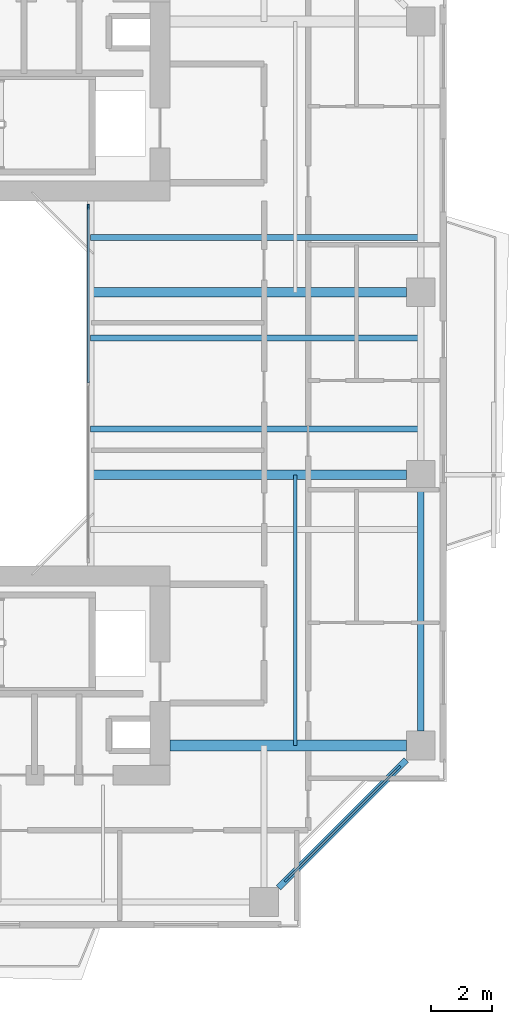
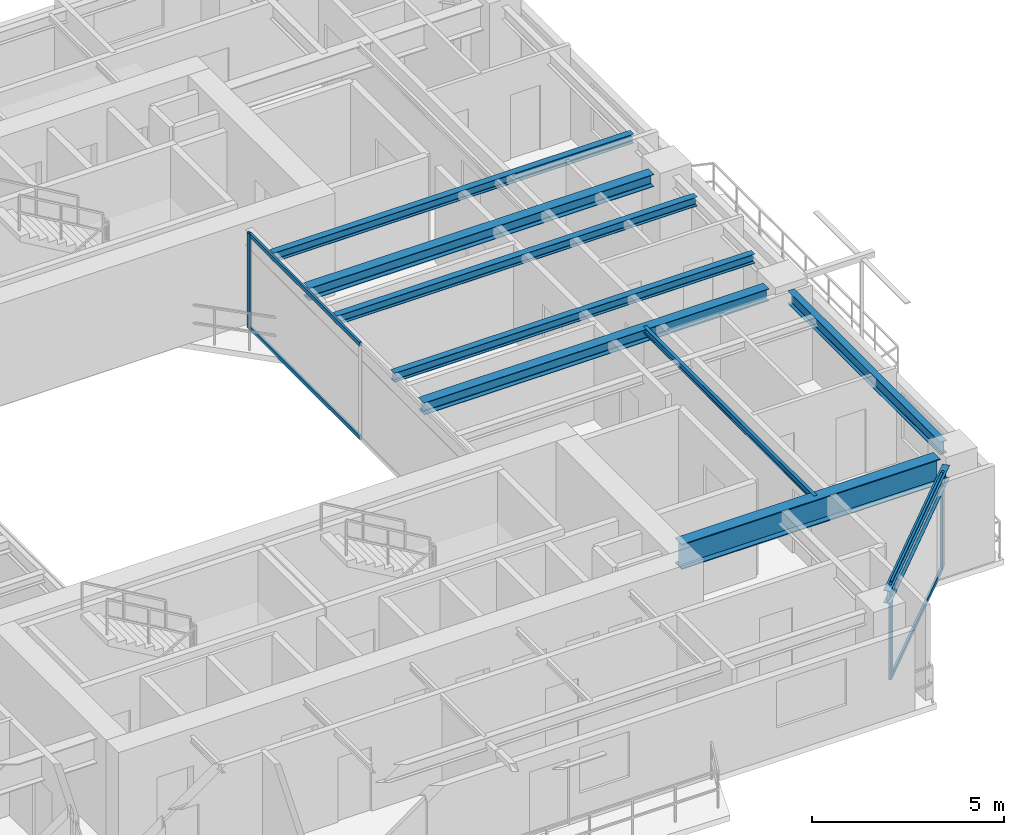
# One storey, part 6 of 18: 9 beams, 7 members, 2 elements without a shape of their own.
"""IFC4 building model written with IfcOpenShell, lengths in metres."""

from ifc_helpers import new_model, si_unit, direction, frame, origin, origin_2d, place, context, subcontext, project, spatial, rectangle, i_section, extrude, source, transform, mapped, material, layer, layer_set, material_profile, profile_set, type_object, element, aggregate, save


model = new_model("IFC4")

# Units and contexts
model_context = context("Model", 3, precision=1e-05, world=origin(), true_north=direction((0.0, 1.0)))
body_context = subcontext(model_context, "Body", "Model", "MODEL_VIEW")
ifc_project = project(units=[si_unit("LENGTHUNIT", "METRE"), si_unit("AREAUNIT", "SQUARE_METRE"), si_unit("VOLUMEUNIT", "CUBIC_METRE"), si_unit("PLANEANGLEUNIT", "RADIAN"), si_unit("MASSUNIT", "GRAM", prefix="KILO"), si_unit("THERMODYNAMICTEMPERATUREUNIT", "KELVIN"), si_unit("POWERUNIT", "WATT")], contexts=[model_context])

# Site, building, storey
site_placement = place(None, origin())
site = spatial("IfcSite", under=ifc_project, at=site_placement, CompositionType="ELEMENT")
building_placement = place(site_placement, origin())
building = spatial("IfcBuilding", under=site, at=building_placement, Name="Qiaomeng Ring Towers", CompositionType="ELEMENT")
storey_placement = place(building_placement, frame((0.0, 0.0, 182.75)))
storey = spatial("IfcBuildingStorey", under=building, at=storey_placement, Name="L53", CompositionType="ELEMENT", Elevation=182.75)

# Beams
ifc_material_1 = material(Name="Steel Q355B", Category="steel")
ifc_material_profile_1 = material_profile(ifc_material_1, i_section(OverallWidth=0.199951171875, OverallDepth=0.2939453125, WebThickness=0.008056640625, FlangeThickness=0.011962890625, FilletRadius=0.01806640625, at=origin_2d()), Name="HM 294x200x8x12")
ifc_profile_set_1 = profile_set([ifc_material_profile_1], Name="Steel Q355B")
beam_type_1 = type_object("IfcBeamType", Name="STR-BM-HM294", PredefinedType="JOIST", material=ifc_profile_set_1)
shared_shape_1 = source(origin(), body_context, "Body", "SweptSolid", [
    extrude(i_section(OverallWidth=0.199951171875, OverallDepth=0.2939453125, WebThickness=0.008056640625, FlangeThickness=0.011962890625, FilletRadius=0.01806640625, at=origin_2d()), origin(), (0.0, 0.0, 1.0), 10.85009765625),
])
for number, where, z_axis, x_axis, name in (
    (1, (25.199951171875, 21.5, 2.883056640625), (1.0, 0.0, 0.0), (0.0, 1.0, 0.0), "L53 beam STR-JST-L53-T1E-2"),
    (2, (25.199951171875, 24.5, 2.883056640625), (1.0, 0.0, 0.0), (0.0, 1.0, 0.0), "L53 beam STR-JST-L53-T1E-3"),
    (3, (25.199951171875, 27.800048828125, 2.883056640625), (1.0, 0.0, 0.0), (0.0, 1.0, 0.0), "L53 beam STR-JST-L53-T1E-4"),
):
    element("IfcBeam", number, at=place(storey_placement, frame(where, z_axis=z_axis, x_axis=x_axis)), inside=storey, type_object=beam_type_1, Name=name, PredefinedType="JOIST", context=body_context, shape_type="MappedRepresentation", body=[
        mapped(shared_shape_1, transform((0.0, 0.0, 0.0), x_axis=(1.0, 0.0, 0.0), y_axis=(0.0, 1.0, 0.0), z_axis=(0.0, 0.0, 1.0), scale=1.0)),
    ])
ifc_material_profile_2 = material_profile(ifc_material_1, i_section(OverallWidth=0.10009765625, OverallDepth=0.199951171875, WebThickness=0.005615234375, FlangeThickness=0.008056640625, FilletRadius=0.010986328125, at=origin_2d()), Name="HN 200x100x5.5x8")
ifc_profile_set_2 = profile_set([ifc_material_profile_2], Name="Steel Q355B")
beam_type_2 = type_object("IfcBeamType", Name="STR-BM-HN200", PredefinedType="JOIST", material=ifc_profile_set_2)
shared_shape_2 = source(origin(), body_context, "Body", "SweptSolid", [
    extrude(i_section(OverallWidth=0.10009765625, OverallDepth=0.199951171875, WebThickness=0.005615234375, FlangeThickness=0.008056640625, FilletRadius=0.010986328125, at=origin_2d()), origin(), (0.0, 0.0, 1.0), 8.89990234375),
])
beam_1_placement = place(storey_placement, frame((31.925048828125, 11.10009765625, 2.929931640625), z_axis=(0.0, 1.0, 0.0), x_axis=(-1.0, 0.0, 0.0)))
element("IfcBeam", 4, at=beam_1_placement, inside=storey, type_object=beam_type_2, Name="L53 beam STR-JST-L53-T1C-ES", PredefinedType="JOIST", context=body_context, shape_type="MappedRepresentation", body=[
    mapped(shared_shape_2, transform((0.0, 0.0, 0.0), x_axis=(1.0, 0.0, 0.0), y_axis=(0.0, 1.0, 0.0), z_axis=(0.0, 0.0, 1.0), scale=1.0)),
])
ifc_material_profile_3 = material_profile(ifc_material_1, i_section(OverallWidth=0.199951171875, OverallDepth=0.39990234375, WebThickness=0.008056640625, FlangeThickness=0.012939453125, FilletRadius=0.01611328125, at=origin_2d()), Name="HN 400x200x8x13")
ifc_profile_set_3 = profile_set([ifc_material_profile_3], Name="Steel Q355B")
beam_type_3 = type_object("IfcBeamType", Name="STR-BM-HN400", PredefinedType="SPANDREL", material=ifc_profile_set_3)
shared_shape_3 = source(origin(), body_context, "Body", "SweptSolid", [
    extrude(i_section(OverallWidth=0.199951171875, OverallDepth=0.39990234375, WebThickness=0.008056640625, FlangeThickness=0.012939453125, FilletRadius=0.01611328125, at=origin_2d()), origin(), (0.0, 0.0, 1.0), 5.941650390625),
])
beam_2_placement = place(storey_placement, frame((31.374267578125, 6.42431640625, 2.830078125), z_axis=(0.707106781187, 0.707106781187, 0.0), x_axis=(-0.707106781187, 0.707106781187, 0.0)))
element("IfcBeam", 5, at=beam_2_placement, inside=storey, type_object=beam_type_3, Name="L53 beam STR-SP-L53-T1-S2-E1", PredefinedType="SPANDREL", context=body_context, shape_type="MappedRepresentation", body=[
    mapped(shared_shape_3, transform((0.0, 0.0, 0.0), x_axis=(1.0, 0.0, 0.0), y_axis=(0.0, 1.0, 0.0), z_axis=(0.0, 0.0, 1.0), scale=1.0)),
])
shared_shape_4 = source(origin(), body_context, "Body", "SweptSolid", [
    extrude(i_section(OverallWidth=0.199951171875, OverallDepth=0.39990234375, WebThickness=0.008056640625, FlangeThickness=0.012939453125, FilletRadius=0.01611328125, at=origin_2d()), origin(), (0.0, 0.0, 1.0), 7.951904296875),
])
beam_3_placement = place(storey_placement, frame((36.050048828125, 11.573974609375, 2.830078125), z_axis=(0.0, 1.0, 0.0), x_axis=(-1.0, 0.0, 0.0)))
element("IfcBeam", 6, at=beam_3_placement, inside=storey, type_object=beam_type_3, Name="L53 beam STR-SP-L53-T1-E1-E2", PredefinedType="SPANDREL", context=body_context, shape_type="MappedRepresentation", body=[
    mapped(shared_shape_4, transform((0.0, 0.0, 0.0), x_axis=(1.0, 0.0, 0.0), y_axis=(0.0, 1.0, 0.0), z_axis=(0.0, 0.0, 1.0), scale=1.0)),
])
ifc_material_2 = material(Name="Steel Q390GJC", Category="steel")
ifc_material_profile_4 = material_profile(ifc_material_2, i_section(OverallWidth=0.35009765625, OverallDepth=0.800048828125, WebThickness=0.01611328125, FlangeThickness=0.028076171875, at=origin_2d()), Name="WH 800x350x16x28")
ifc_profile_set_4 = profile_set([ifc_material_profile_4], Name="Steel Q390GJC")
beam_type_4 = type_object("IfcBeamType", Name="STR-BM-WH800", PredefinedType="BEAM", material=ifc_profile_set_4)
shared_shape_5 = source(origin(), body_context, "Body", "SweptSolid", [
    extrude(i_section(OverallWidth=0.35009765625, OverallDepth=0.800048828125, WebThickness=0.01611328125, FlangeThickness=0.028076171875, at=origin_2d()), origin(), (0.0, 0.0, 1.0), 7.77587890625),
])
beam_4_placement = place(storey_placement, frame((27.800048828125, 11.10009765625, 2.6298828125), z_axis=(1.0, 0.0, 0.0), x_axis=(0.0, 1.0, 0.0)))
element("IfcBeam", 7, at=beam_4_placement, inside=storey, type_object=beam_type_4, Name="L53 beam STR-BM-L53-T1-RAD-E1", PredefinedType="BEAM", context=body_context, shape_type="MappedRepresentation", body=[
    mapped(shared_shape_5, transform((0.0, 0.0, 0.0), x_axis=(1.0, 0.0, 0.0), y_axis=(0.0, 1.0, 0.0), z_axis=(0.0, 0.0, 1.0), scale=1.0)),
])
ifc_material_profile_5 = material_profile(ifc_material_1, i_section(OverallWidth=0.300048828125, OverallDepth=0.389892578125, WebThickness=0.010009765625, FlangeThickness=0.01611328125, FilletRadius=0.02197265625, at=origin_2d()), Name="HM 390x300x10x16")
ifc_profile_set_5 = profile_set([ifc_material_profile_5], Name="Steel Q355B")
beam_type_5 = type_object("IfcBeamType", Name="STR-BM-HM390", PredefinedType="BEAM", material=ifc_profile_set_5)
shared_shape_6 = source(origin(), body_context, "Body", "SweptSolid", [
    extrude(i_section(OverallWidth=0.300048828125, OverallDepth=0.389892578125, WebThickness=0.010009765625, FlangeThickness=0.01611328125, FilletRadius=0.02197265625, at=origin_2d()), origin(), (0.0, 0.0, 1.0), 10.3759765625),
])
for number, where, z_axis, x_axis, name in (
    (8, (25.199951171875, 20.0, 2.8349609375), (1.0, 0.0, 0.0), (0.0, 1.0, 0.0), "L53 beam STR-BM-L53-T1-RAD-E2"),
    (9, (25.199951171875, 26.0, 2.8349609375), (1.0, 0.0, 0.0), (0.0, 1.0, 0.0), "L53 beam STR-BM-L53-T1-RAD-E3"),
):
    element("IfcBeam", number, at=place(storey_placement, frame(where, z_axis=z_axis, x_axis=x_axis)), inside=storey, type_object=beam_type_5, Name=name, PredefinedType="BEAM", context=body_context, shape_type="MappedRepresentation", body=[
        mapped(shared_shape_6, transform((0.0, 0.0, 0.0), x_axis=(1.0, 0.0, 0.0), y_axis=(0.0, 1.0, 0.0), z_axis=(0.0, 0.0, 1.0), scale=1.0)),
    ])

# Curtain wall, members
ifc_material_3 = material(Name="Fluorocarbon dark-grey aluminium", Category="aluminium")
ifc_layer_1 = layer(ifc_material_3, 0.139892578125, Name="Fluorocarbon dark-grey aluminium")
ifc_layer_set_1 = layer_set([ifc_layer_1], Name="Fluorocarbon dark-grey aluminium")
curtain_wall_type_1 = type_object("IfcCurtainWallType", Name="ARC-CW-4", PredefinedType="NOTDEFINED", material=ifc_layer_set_1)
curtain_wall_1_placement = place(storey_placement, origin())
curtain_wall_1 = element("IfcCurtainWall", 10, at=curtain_wall_1_placement, inside=storey, type_object=curtain_wall_type_1, Name="L53 Curtain Wall CW4", PredefinedType="NOTDEFINED")
ifc_material_profile_6 = material_profile(ifc_material_3, rectangle(XDim=0.06494140625, YDim=0.1298828125, at=origin_2d()), Name="ALU TRAN 65x130")
ifc_profile_set_6 = profile_set([ifc_material_profile_6], Name="Fluorocarbon dark-grey aluminium")
member_type_1 = type_object("IfcMemberType", Name="ARC-CWT-120", PredefinedType="USERDEFINED", material=ifc_profile_set_6)
shared_shape_7 = source(origin(), body_context, "Body", "SweptSolid", [
    extrude(rectangle(XDim=0.06494140625, YDim=0.1298828125, at=origin_2d()), origin(), (0.0, 0.0, 1.0), 5.75244140625),
])
member_1_placement = place(storey_placement, frame((25.1201171875, 23.032470703125, 0.032470703125), z_axis=(0.0, 1.0, 0.0), x_axis=(-1.0, 0.0, 0.0)))
member_1 = element("IfcMember", 11, at=member_1_placement, type_object=member_type_1, Name="CW4 transom 2.1", ObjectType="TRANSOM", PredefinedType="USERDEFINED", context=body_context, shape_type="MappedRepresentation", body=[
    mapped(shared_shape_7, transform((0.0, 0.0, 0.0), x_axis=(1.0, 0.0, 0.0), y_axis=(0.0, 1.0, 0.0), z_axis=(0.0, 0.0, 1.0), scale=1.0)),
])
member_2_placement = place(storey_placement, frame((25.1201171875, 23.032470703125, 2.99755859375), z_axis=(0.0, 1.0, 0.0), x_axis=(-1.0, 0.0, 0.0)))
member_2 = element("IfcMember", 12, at=member_2_placement, type_object=member_type_1, Name="CW4 transom 2.2", ObjectType="TRANSOM", PredefinedType="USERDEFINED", context=body_context, shape_type="MappedRepresentation", body=[
    mapped(shared_shape_7, transform((0.0, 0.0, 0.0), x_axis=(1.0, 0.0, 0.0), y_axis=(0.0, 1.0, 0.0), z_axis=(0.0, 0.0, 1.0), scale=1.0)),
])
ifc_material_profile_7 = material_profile(ifc_material_3, rectangle(XDim=0.06494140625, YDim=0.159912109375, at=origin_2d()), Name="ALU MULL 65x160")
ifc_profile_set_7 = profile_set([ifc_material_profile_7], Name="Fluorocarbon dark-grey aluminium")
member_type_2 = type_object("IfcMemberType", Name="ARC-CWM-140", PredefinedType="MULLION", material=ifc_profile_set_7)
shared_shape_8 = source(origin(), body_context, "Body", "SweptSolid", [
    extrude(rectangle(XDim=0.06494140625, YDim=0.159912109375, at=origin_2d()), origin(), (0.0, 0.0, 1.0), 3.030029296875),
])
member_3_placement = place(storey_placement, frame((25.1201171875, 28.8173828125, 0.0), z_axis=(0.0, 0.0, 1.0), x_axis=(-1.0, 0.0, 0.0)))
member_3 = element("IfcMember", 13, at=member_3_placement, type_object=member_type_2, Name="CW4 mullion 3", PredefinedType="MULLION", context=body_context, shape_type="MappedRepresentation", body=[
    mapped(shared_shape_8, transform((0.0, 0.0, 0.0), x_axis=(1.0, 0.0, 0.0), y_axis=(0.0, 1.0, 0.0), z_axis=(0.0, 0.0, 1.0), scale=1.0)),
])
aggregate(curtain_wall_1, [member_3, member_1, member_2])

ifc_layer_2 = layer(ifc_material_3, 0.14990234375, Name="Fluorocarbon dark-grey aluminium")
ifc_layer_set_2 = layer_set([ifc_layer_2], Name="Fluorocarbon dark-grey aluminium")
curtain_wall_type_2 = type_object("IfcCurtainWallType", Name="ARC-CW-3", PredefinedType="NOTDEFINED", material=ifc_layer_set_2)
curtain_wall_2_placement = place(storey_placement, origin())
curtain_wall_2 = element("IfcCurtainWall", 14, at=curtain_wall_2_placement, inside=storey, type_object=curtain_wall_type_2, Name="L53 Curtain Wall CW3", PredefinedType="NOTDEFINED")
ifc_material_profile_8 = material_profile(ifc_material_3, rectangle(XDim=0.070068359375, YDim=0.179931640625, at=origin_2d()), Name="ALU MULL 70x180")
ifc_profile_set_8 = profile_set([ifc_material_profile_8], Name="Fluorocarbon dark-grey aluminium")
member_type_3 = type_object("IfcMemberType", Name="ARC-CWM-160", PredefinedType="MULLION", material=ifc_profile_set_8)
shared_shape_9 = source(origin(), body_context, "Body", "SweptSolid", [
    extrude(rectangle(XDim=0.070068359375, YDim=0.179931640625, at=origin_2d()), origin(), (0.0, 0.0, 1.0), 3.030029296875),
])
member_4_placement = place(storey_placement, frame((31.6396484375, 6.689697265625, 0.0), z_axis=(0.0, 0.0, 1.0), x_axis=(-0.707106781187, 0.707106781187, 0.0)))
member_4 = element("IfcMember", 15, at=member_4_placement, type_object=member_type_3, Name="CW3 mullion 1", PredefinedType="MULLION", context=body_context, shape_type="MappedRepresentation", body=[
    mapped(shared_shape_9, transform((0.0, 0.0, 0.0), x_axis=(1.0, 0.0, 0.0), y_axis=(0.0, 1.0, 0.0), z_axis=(0.0, 0.0, 1.0), scale=1.0)),
])
member_5_placement = place(storey_placement, frame((35.310302734375, 10.3603515625, 0.0), z_axis=(0.0, 0.0, 1.0), x_axis=(-0.707106781187, 0.707106781187, 0.0)))
member_5 = element("IfcMember", 16, at=member_5_placement, type_object=member_type_3, Name="CW3 mullion 2", PredefinedType="MULLION", context=body_context, shape_type="MappedRepresentation", body=[
    mapped(shared_shape_9, transform((0.0, 0.0, 0.0), x_axis=(1.0, 0.0, 0.0), y_axis=(0.0, 1.0, 0.0), z_axis=(0.0, 0.0, 1.0), scale=1.0)),
])
shared_shape_10 = source(origin(), body_context, "Body", "SweptSolid", [
    extrude(rectangle(XDim=0.06494140625, YDim=0.1298828125, at=origin_2d()), origin(), (0.0, 0.0, 1.0), 5.12060546875),
])
member_6_placement = place(storey_placement, frame((31.66455078125, 6.714599609375, 0.032470703125), z_axis=(0.707106781187, 0.707106781187, 0.0), x_axis=(-0.707106781187, 0.707106781187, 0.0)))
member_6 = element("IfcMember", 17, at=member_6_placement, type_object=member_type_1, Name="CW3 transom 1.1", ObjectType="TRANSOM", PredefinedType="USERDEFINED", context=body_context, shape_type="MappedRepresentation", body=[
    mapped(shared_shape_10, transform((0.0, 0.0, 0.0), x_axis=(1.0, 0.0, 0.0), y_axis=(0.0, 1.0, 0.0), z_axis=(0.0, 0.0, 1.0), scale=1.0)),
])
member_7_placement = place(storey_placement, frame((31.66455078125, 6.714599609375, 2.99755859375), z_axis=(0.707106781187, 0.707106781187, 0.0), x_axis=(-0.707106781187, 0.707106781187, 0.0)))
member_7 = element("IfcMember", 18, at=member_7_placement, type_object=member_type_1, Name="CW3 transom 1.2", ObjectType="TRANSOM", PredefinedType="USERDEFINED", context=body_context, shape_type="MappedRepresentation", body=[
    mapped(shared_shape_10, transform((0.0, 0.0, 0.0), x_axis=(1.0, 0.0, 0.0), y_axis=(0.0, 1.0, 0.0), z_axis=(0.0, 0.0, 1.0), scale=1.0)),
])
aggregate(curtain_wall_2, [member_4, member_5, member_6, member_7])

save(model, "model.ifc")
